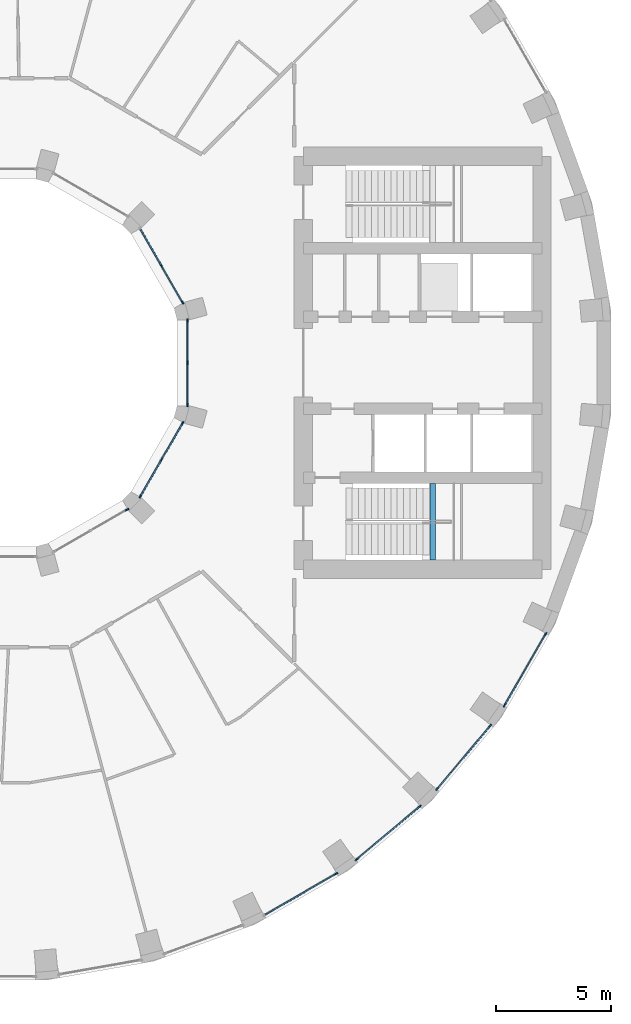
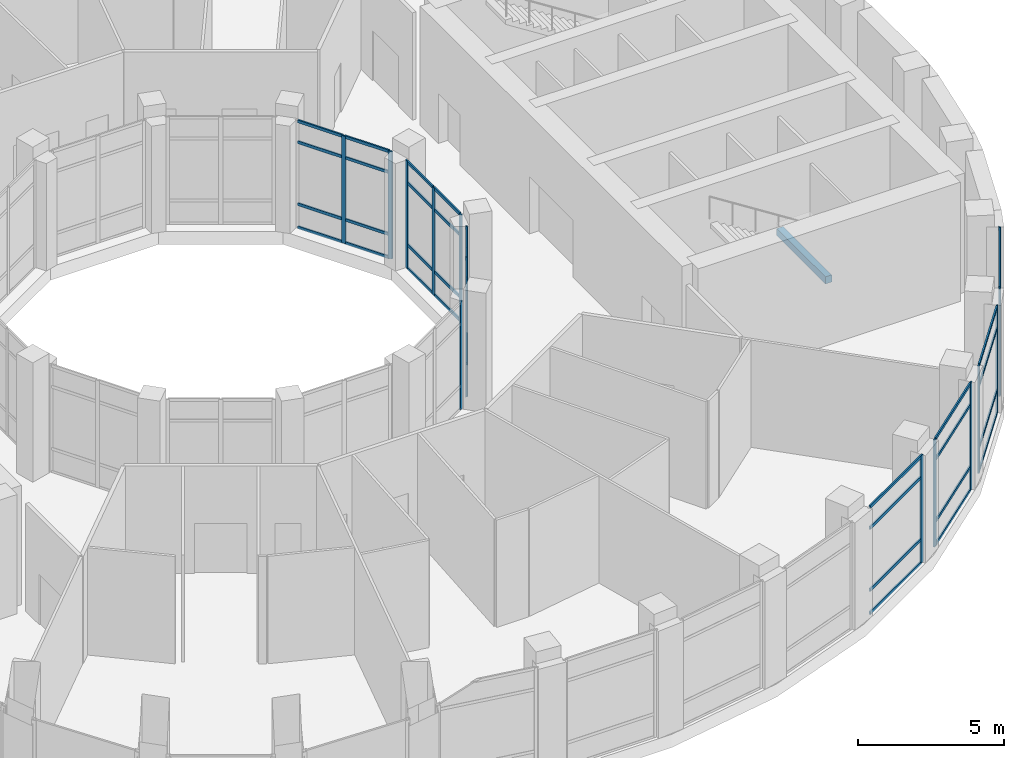
# One storey, part 5 of 18: 56 members, 1 beam, 8 elements without a shape of their own.
"""IFC4 building model written with IfcOpenShell, lengths in metres."""

from ifc_helpers import new_model, si_unit, direction, frame, origin, origin_2d, place, context, subcontext, project, spatial, rectangle, extrude, material, layer, layer_set, material_profile, profile_set, type_object, element, aggregate, save


model = new_model("IFC4")

# Units and contexts
model_context = context("Model", 3, precision=1e-05, world=origin(), true_north=direction((0.0, 1.0)))
body_context = subcontext(model_context, "Body", "Model", "MODEL_VIEW")
ifc_project = project(units=[si_unit("LENGTHUNIT", "METRE"), si_unit("AREAUNIT", "SQUARE_METRE"), si_unit("VOLUMEUNIT", "CUBIC_METRE"), si_unit("PLANEANGLEUNIT", "RADIAN"), si_unit("MASSUNIT", "GRAM", prefix="KILO")], contexts=[model_context])

# Site, building, storey
site_placement = place(None, origin())
site = spatial("IfcSite", under=ifc_project, at=site_placement, CompositionType="ELEMENT")
building_placement = place(site_placement, origin())
building = spatial("IfcBuilding", under=site, at=building_placement, Name="Saqina Gate Tower", CompositionType="ELEMENT")
storey_placement = place(building_placement, frame((0.0, 0.0, 86.89990234375)))
storey = spatial("IfcBuildingStorey", under=building, at=storey_placement, Name="L24", CompositionType="ELEMENT", Elevation=86.89990234375)

# Curtain wall, member
ifc_material_1 = material(Name="Aluminium glazing", Category="aluminium")
ifc_layer_1 = layer(ifc_material_1, 0.159912109375)
ifc_layer_set_1 = layer_set([ifc_layer_1], Name="CWT-2")
curtain_wall_type_1 = type_object("IfcCurtainWallType", Name="CWT-2", PredefinedType="NOTDEFINED", material=ifc_layer_set_1)
curtain_wall_1_placement = place(storey_placement, origin())
curtain_wall_1 = element("IfcCurtainWall", 1, at=curtain_wall_1_placement, inside=storey, type_object=curtain_wall_type_1, Name="Sky lounge glazing facet 30", PredefinedType="NOTDEFINED")
ifc_material_2 = material(Name="Aluminium", Category="aluminium")
ifc_material_profile_1 = material_profile(ifc_material_2, rectangle(XDim=0.06005859375, YDim=0.159912109375, at=origin_2d()), Name="Aluminium 60x160")
ifc_profile_set_1 = profile_set([ifc_material_profile_1], Name="Aluminium")
member_type_1 = type_object("IfcMemberType", Name="CWT-2M", PredefinedType="MULLION", material=ifc_profile_set_1)
member_1_placement = place(storey_placement, frame((14.92724609375, -22.266845703125, 0.0), z_axis=(0.0, 0.0, 1.0), x_axis=(-0.499998512381, 0.86602626266, 0.0)))
member_1 = element("IfcMember", 2, at=member_1_placement, type_object=member_type_1, Name="CW2-30 mullion 2", PredefinedType="MULLION", context=body_context, shape_type="SweptSolid", body=[
    extrude(rectangle(XDim=0.06005859375, YDim=0.159912109375, at=origin_2d()), origin(), (0.0, 0.0, 1.0), 4.5),
])

# Curtain wall, members
curtain_wall_2_placement = place(storey_placement, origin())
curtain_wall_2 = element("IfcCurtainWall", 3, at=curtain_wall_2_placement, inside=storey, type_object=curtain_wall_type_1, Name="Sky lounge glazing facet 31", PredefinedType="NOTDEFINED")
member_2_placement = place(storey_placement, frame((15.818603515625, -21.642822265625, 0.0), z_axis=(0.0, 0.0, 1.0), x_axis=(-0.642790825553, 0.766041744675, 0.0)))
member_2 = element("IfcMember", 4, at=member_2_placement, type_object=member_type_1, Name="CW2-31 mullion 1", PredefinedType="MULLION", context=body_context, shape_type="SweptSolid", body=[
    extrude(rectangle(XDim=0.06005859375, YDim=0.159912109375, at=origin_2d()), origin(), (0.0, 0.0, 1.0), 4.5),
])
member_3_placement = place(storey_placement, frame((18.567138671875, -19.33642578125, 0.0), z_axis=(0.0, 0.0, 1.0), x_axis=(-0.642790825553, 0.766041744675, 0.0)))
member_3 = element("IfcMember", 5, at=member_3_placement, type_object=member_type_1, Name="CW2-31 mullion 2", PredefinedType="MULLION", context=body_context, shape_type="SweptSolid", body=[
    extrude(rectangle(XDim=0.06005859375, YDim=0.159912109375, at=origin_2d()), origin(), (0.0, 0.0, 1.0), 4.5),
])

curtain_wall_3_placement = place(storey_placement, origin())
curtain_wall_3 = element("IfcCurtainWall", 6, at=curtain_wall_3_placement, inside=storey, type_object=curtain_wall_type_1, Name="Sky lounge glazing facet 32", PredefinedType="NOTDEFINED")
member_4_placement = place(storey_placement, frame((19.33642578125, -18.567138671875, 0.0), z_axis=(0.0, 0.0, 1.0), x_axis=(-0.766041744675, 0.642790825553, 0.0)))
member_4 = element("IfcMember", 7, at=member_4_placement, type_object=member_type_1, Name="CW2-32 mullion 1", PredefinedType="MULLION", context=body_context, shape_type="SweptSolid", body=[
    extrude(rectangle(XDim=0.06005859375, YDim=0.159912109375, at=origin_2d()), origin(), (0.0, 0.0, 1.0), 4.5),
])
member_5_placement = place(storey_placement, frame((21.642822265625, -15.818603515625, 0.0), z_axis=(0.0, 0.0, 1.0), x_axis=(-0.766041744675, 0.642790825553, 0.0)))
member_5 = element("IfcMember", 8, at=member_5_placement, type_object=member_type_1, Name="CW2-32 mullion 2", PredefinedType="MULLION", context=body_context, shape_type="SweptSolid", body=[
    extrude(rectangle(XDim=0.06005859375, YDim=0.159912109375, at=origin_2d()), origin(), (0.0, 0.0, 1.0), 4.5),
])

curtain_wall_4_placement = place(storey_placement, origin())
curtain_wall_4 = element("IfcCurtainWall", 9, at=curtain_wall_4_placement, inside=storey, type_object=curtain_wall_type_1, Name="Sky lounge glazing facet 33", PredefinedType="NOTDEFINED")
member_6_placement = place(storey_placement, frame((22.266845703125, -14.92724609375, 0.0), z_axis=(0.0, 0.0, 1.0), x_axis=(-0.86602626266, 0.499998512381, 0.0)))
member_6 = element("IfcMember", 10, at=member_6_placement, type_object=member_type_1, Name="CW2-33 mullion 1", PredefinedType="MULLION", context=body_context, shape_type="SweptSolid", body=[
    extrude(rectangle(XDim=0.06005859375, YDim=0.159912109375, at=origin_2d()), origin(), (0.0, 0.0, 1.0), 4.5),
])
member_7_placement = place(storey_placement, frame((24.060791015625, -11.820068359375, 0.0), z_axis=(0.0, 0.0, 1.0), x_axis=(-0.86602626266, 0.499998512381, 0.0)))
member_7 = element("IfcMember", 11, at=member_7_placement, type_object=member_type_1, Name="CW2-33 mullion 2", PredefinedType="MULLION", context=body_context, shape_type="SweptSolid", body=[
    extrude(rectangle(XDim=0.06005859375, YDim=0.159912109375, at=origin_2d()), origin(), (0.0, 0.0, 1.0), 4.5),
])

# Member
ifc_material_3 = material(Name="Aluminium", Category="aluminium")
ifc_material_profile_2 = material_profile(ifc_material_3, rectangle(XDim=0.06005859375, YDim=0.1201171875, at=origin_2d()), Name="Aluminium 60x120")
ifc_profile_set_2 = profile_set([ifc_material_profile_2], Name="Aluminium")
member_type_2 = type_object("IfcMemberType", Name="CWT-2T", PredefinedType="USERDEFINED", material=ifc_profile_set_2)
member_8_placement = place(storey_placement, frame((11.845947265625, -24.0458984375, 0.030029296875), z_axis=(0.866024243143, 0.500002010285, 0.0), x_axis=(-0.500002010285, 0.866024243143, 0.0)))
member_8 = element("IfcMember", 12, at=member_8_placement, type_object=member_type_2, Name="CW2-30 transom 1.1", ObjectType="TRANSOM", PredefinedType="USERDEFINED", context=body_context, shape_type="SweptSolid", body=[
    extrude(rectangle(XDim=0.06005859375, YDim=0.1201171875, at=origin_2d()), origin(), (0.0, 0.0, 1.0), 3.52783203125),
])

member_9_placement = place(storey_placement, frame((11.845947265625, -24.0458984375, 1.0), z_axis=(0.866024243143, 0.500002010285, 0.0), x_axis=(-0.500002010285, 0.866024243143, 0.0)))
member_9 = element("IfcMember", 13, at=member_9_placement, type_object=member_type_2, Name="CW2-30 transom 1.2", ObjectType="TRANSOM", PredefinedType="USERDEFINED", context=body_context, shape_type="SweptSolid", body=[
    extrude(rectangle(XDim=0.06005859375, YDim=0.1201171875, at=origin_2d()), origin(), (0.0, 0.0, 1.0), 3.52783203125),
])

member_10_placement = place(storey_placement, frame((11.845947265625, -24.0458984375, 3.60009765625), z_axis=(0.866024243143, 0.500002010285, 0.0), x_axis=(-0.500002010285, 0.866024243143, 0.0)))
member_10 = element("IfcMember", 14, at=member_10_placement, type_object=member_type_2, Name="CW2-30 transom 1.3", ObjectType="TRANSOM", PredefinedType="USERDEFINED", context=body_context, shape_type="SweptSolid", body=[
    extrude(rectangle(XDim=0.06005859375, YDim=0.1201171875, at=origin_2d()), origin(), (0.0, 0.0, 1.0), 3.52783203125),
])

member_11_placement = place(storey_placement, frame((11.845947265625, -24.0458984375, 4.47021484375), z_axis=(0.866024243143, 0.500002010285, 0.0), x_axis=(-0.500002010285, 0.866024243143, 0.0)))
member_11 = element("IfcMember", 15, at=member_11_placement, type_object=member_type_2, Name="CW2-30 transom 1.4", ObjectType="TRANSOM", PredefinedType="USERDEFINED", context=body_context, shape_type="SweptSolid", body=[
    extrude(rectangle(XDim=0.06005859375, YDim=0.1201171875, at=origin_2d()), origin(), (0.0, 0.0, 1.0), 3.52783203125),
])

aggregate(curtain_wall_1, [member_1, member_8, member_9, member_10, member_11])

member_12_placement = place(storey_placement, frame((15.841552734375, -21.62353515625, 0.030029296875), z_axis=(0.766010155434, 0.642828469945, 0.0), x_axis=(-0.642828469945, 0.766010155434, 0.0)))
member_12 = element("IfcMember", 16, at=member_12_placement, type_object=member_type_2, Name="CW2-31 transom 1.1", ObjectType="TRANSOM", PredefinedType="USERDEFINED", context=body_context, shape_type="SweptSolid", body=[
    extrude(rectangle(XDim=0.06005859375, YDim=0.1201171875, at=origin_2d()), origin(), (0.0, 0.0, 1.0), 3.52783203125),
])

member_13_placement = place(storey_placement, frame((15.841552734375, -21.62353515625, 1.0), z_axis=(0.766010155434, 0.642828469945, 0.0), x_axis=(-0.642828469945, 0.766010155434, 0.0)))
member_13 = element("IfcMember", 17, at=member_13_placement, type_object=member_type_2, Name="CW2-31 transom 1.2", ObjectType="TRANSOM", PredefinedType="USERDEFINED", context=body_context, shape_type="SweptSolid", body=[
    extrude(rectangle(XDim=0.06005859375, YDim=0.1201171875, at=origin_2d()), origin(), (0.0, 0.0, 1.0), 3.52783203125),
])

member_14_placement = place(storey_placement, frame((15.841552734375, -21.62353515625, 3.60009765625), z_axis=(0.766010155434, 0.642828469945, 0.0), x_axis=(-0.642828469945, 0.766010155434, 0.0)))
member_14 = element("IfcMember", 18, at=member_14_placement, type_object=member_type_2, Name="CW2-31 transom 1.3", ObjectType="TRANSOM", PredefinedType="USERDEFINED", context=body_context, shape_type="SweptSolid", body=[
    extrude(rectangle(XDim=0.06005859375, YDim=0.1201171875, at=origin_2d()), origin(), (0.0, 0.0, 1.0), 3.52783203125),
])

member_15_placement = place(storey_placement, frame((15.841552734375, -21.62353515625, 4.47021484375), z_axis=(0.766010155434, 0.642828469945, 0.0), x_axis=(-0.642828469945, 0.766010155434, 0.0)))
member_15 = element("IfcMember", 19, at=member_15_placement, type_object=member_type_2, Name="CW2-31 transom 1.4", ObjectType="TRANSOM", PredefinedType="USERDEFINED", context=body_context, shape_type="SweptSolid", body=[
    extrude(rectangle(XDim=0.06005859375, YDim=0.1201171875, at=origin_2d()), origin(), (0.0, 0.0, 1.0), 3.52783203125),
])

aggregate(curtain_wall_2, [member_2, member_3, member_12, member_13, member_14, member_15])

member_16_placement = place(storey_placement, frame((19.355712890625, -18.5439453125, 0.030029296875), z_axis=(0.642828469945, 0.766010155434, 0.0), x_axis=(-0.766010155434, 0.642828469945, 0.0)))
member_16 = element("IfcMember", 20, at=member_16_placement, type_object=member_type_2, Name="CW2-32 transom 1.1", ObjectType="TRANSOM", PredefinedType="USERDEFINED", context=body_context, shape_type="SweptSolid", body=[
    extrude(rectangle(XDim=0.06005859375, YDim=0.1201171875, at=origin_2d()), origin(), (0.0, 0.0, 1.0), 3.52783203125),
])

member_17_placement = place(storey_placement, frame((19.355712890625, -18.5439453125, 1.0), z_axis=(0.642828469945, 0.766010155434, 0.0), x_axis=(-0.766010155434, 0.642828469945, 0.0)))
member_17 = element("IfcMember", 21, at=member_17_placement, type_object=member_type_2, Name="CW2-32 transom 1.2", ObjectType="TRANSOM", PredefinedType="USERDEFINED", context=body_context, shape_type="SweptSolid", body=[
    extrude(rectangle(XDim=0.06005859375, YDim=0.1201171875, at=origin_2d()), origin(), (0.0, 0.0, 1.0), 3.52783203125),
])

member_18_placement = place(storey_placement, frame((19.355712890625, -18.5439453125, 3.60009765625), z_axis=(0.642828469945, 0.766010155434, 0.0), x_axis=(-0.766010155434, 0.642828469945, 0.0)))
member_18 = element("IfcMember", 22, at=member_18_placement, type_object=member_type_2, Name="CW2-32 transom 1.3", ObjectType="TRANSOM", PredefinedType="USERDEFINED", context=body_context, shape_type="SweptSolid", body=[
    extrude(rectangle(XDim=0.06005859375, YDim=0.1201171875, at=origin_2d()), origin(), (0.0, 0.0, 1.0), 3.52783203125),
])

member_19_placement = place(storey_placement, frame((19.355712890625, -18.5439453125, 4.47021484375), z_axis=(0.642828469945, 0.766010155434, 0.0), x_axis=(-0.766010155434, 0.642828469945, 0.0)))
member_19 = element("IfcMember", 23, at=member_19_placement, type_object=member_type_2, Name="CW2-32 transom 1.4", ObjectType="TRANSOM", PredefinedType="USERDEFINED", context=body_context, shape_type="SweptSolid", body=[
    extrude(rectangle(XDim=0.06005859375, YDim=0.1201171875, at=origin_2d()), origin(), (0.0, 0.0, 1.0), 3.52783203125),
])

aggregate(curtain_wall_3, [member_4, member_5, member_16, member_17, member_18, member_19])

member_20_placement = place(storey_placement, frame((22.281982421875, -14.901123046875, 0.030029296875), z_axis=(0.500002010285, 0.866024243143, 0.0), x_axis=(-0.866024243143, 0.500002010285, 0.0)))
member_20 = element("IfcMember", 24, at=member_20_placement, type_object=member_type_2, Name="CW2-33 transom 1.1", ObjectType="TRANSOM", PredefinedType="USERDEFINED", context=body_context, shape_type="SweptSolid", body=[
    extrude(rectangle(XDim=0.06005859375, YDim=0.1201171875, at=origin_2d()), origin(), (0.0, 0.0, 1.0), 3.52783203125),
])

member_21_placement = place(storey_placement, frame((22.281982421875, -14.901123046875, 1.0), z_axis=(0.500002010285, 0.866024243143, 0.0), x_axis=(-0.866024243143, 0.500002010285, 0.0)))
member_21 = element("IfcMember", 25, at=member_21_placement, type_object=member_type_2, Name="CW2-33 transom 1.2", ObjectType="TRANSOM", PredefinedType="USERDEFINED", context=body_context, shape_type="SweptSolid", body=[
    extrude(rectangle(XDim=0.06005859375, YDim=0.1201171875, at=origin_2d()), origin(), (0.0, 0.0, 1.0), 3.52783203125),
])

member_22_placement = place(storey_placement, frame((22.281982421875, -14.901123046875, 3.60009765625), z_axis=(0.500002010285, 0.866024243143, 0.0), x_axis=(-0.866024243143, 0.500002010285, 0.0)))
member_22 = element("IfcMember", 26, at=member_22_placement, type_object=member_type_2, Name="CW2-33 transom 1.3", ObjectType="TRANSOM", PredefinedType="USERDEFINED", context=body_context, shape_type="SweptSolid", body=[
    extrude(rectangle(XDim=0.06005859375, YDim=0.1201171875, at=origin_2d()), origin(), (0.0, 0.0, 1.0), 3.52783203125),
])

member_23_placement = place(storey_placement, frame((22.281982421875, -14.901123046875, 4.47021484375), z_axis=(0.500002010285, 0.866024243143, 0.0), x_axis=(-0.866024243143, 0.500002010285, 0.0)))
member_23 = element("IfcMember", 27, at=member_23_placement, type_object=member_type_2, Name="CW2-33 transom 1.4", ObjectType="TRANSOM", PredefinedType="USERDEFINED", context=body_context, shape_type="SweptSolid", body=[
    extrude(rectangle(XDim=0.06005859375, YDim=0.1201171875, at=origin_2d()), origin(), (0.0, 0.0, 1.0), 3.52783203125),
])

aggregate(curtain_wall_4, [member_6, member_7, member_20, member_21, member_22, member_23])

# Curtain wall, members
ifc_material_4 = material(Name="Aluminium glazing", Category="aluminium")
ifc_layer_2 = layer(ifc_material_4, 0.159912109375)
ifc_layer_set_2 = layer_set([ifc_layer_2], Name="CWT-3")
curtain_wall_type_2 = type_object("IfcCurtainWallType", Name="CWT-3", PredefinedType="NOTDEFINED", material=ifc_layer_set_2)
curtain_wall_5_placement = place(storey_placement, origin())
curtain_wall_5 = element("IfcCurtainWall", 28, at=curtain_wall_5_placement, inside=storey, type_object=curtain_wall_type_2, Name="Sky lounge well glazing L24 facet 1", PredefinedType="NOTDEFINED")
ifc_material_5 = material(Name="Aluminium", Category="aluminium")
ifc_material_profile_3 = material_profile(ifc_material_5, rectangle(XDim=0.06005859375, YDim=0.159912109375, at=origin_2d()), Name="Aluminium 60x160")
ifc_profile_set_3 = profile_set([ifc_material_profile_3], Name="Aluminium")
member_type_3 = type_object("IfcMemberType", Name="CWT-3M", PredefinedType="MULLION", material=ifc_profile_set_3)
member_24_placement = place(storey_placement, frame((8.23974609375, 2.628173828125, 0.0), z_axis=(0.0, 0.0, 1.0), x_axis=(-0.866029166445, -0.499993482823, 0.0)))
member_24 = element("IfcMember", 29, at=member_24_placement, type_object=member_type_3, Name="CW3-01 mullion 1", PredefinedType="MULLION", context=body_context, shape_type="SweptSolid", body=[
    extrude(rectangle(XDim=0.06005859375, YDim=0.159912109375, at=origin_2d()), origin(), (0.0, 0.0, 1.0), 4.5),
])
member_25_placement = place(storey_placement, frame((7.31787109375, 4.22509765625, 0.0), z_axis=(0.0, 0.0, 1.0), x_axis=(-0.866029166445, -0.499993482823, 0.0)))
member_25 = element("IfcMember", 30, at=member_25_placement, type_object=member_type_3, Name="CW3-01 mullion 2", PredefinedType="MULLION", context=body_context, shape_type="SweptSolid", body=[
    extrude(rectangle(XDim=0.06005859375, YDim=0.159912109375, at=origin_2d()), origin(), (0.0, 0.0, 1.0), 4.5),
])

# Curtain wall, member
curtain_wall_6_placement = place(storey_placement, origin())
curtain_wall_6 = element("IfcCurtainWall", 31, at=curtain_wall_6_placement, inside=storey, type_object=curtain_wall_type_2, Name="Sky lounge well glazing L24 facet 10", PredefinedType="NOTDEFINED")
member_26_placement = place(storey_placement, frame((5.82177734375, -6.39599609375, 0.0), z_axis=(0.0, 0.0, 1.0), x_axis=(-0.499993482823, 0.866029166445, 0.0)))
member_26 = element("IfcMember", 32, at=member_26_placement, type_object=member_type_3, Name="CW3-10 mullion 3", PredefinedType="MULLION", context=body_context, shape_type="SweptSolid", body=[
    extrude(rectangle(XDim=0.06005859375, YDim=0.159912109375, at=origin_2d()), origin(), (0.0, 0.0, 1.0), 4.5),
])
aggregate(curtain_wall_6, [member_26])

# Curtain wall, members
curtain_wall_7_placement = place(storey_placement, origin())
curtain_wall_7 = element("IfcCurtainWall", 33, at=curtain_wall_7_placement, inside=storey, type_object=curtain_wall_type_2, Name="Sky lounge well glazing L24 facet 11", PredefinedType="NOTDEFINED")
member_27_placement = place(storey_placement, frame((6.39599609375, -5.82177734375, 0.0), z_axis=(0.0, 0.0, 1.0), x_axis=(-0.866029166445, 0.499993482823, 0.0)))
member_27 = element("IfcMember", 34, at=member_27_placement, type_object=member_type_3, Name="CW3-11 mullion 1", PredefinedType="MULLION", context=body_context, shape_type="SweptSolid", body=[
    extrude(rectangle(XDim=0.06005859375, YDim=0.159912109375, at=origin_2d()), origin(), (0.0, 0.0, 1.0), 4.5),
])
member_28_placement = place(storey_placement, frame((7.31787109375, -4.22509765625, 0.0), z_axis=(0.0, 0.0, 1.0), x_axis=(-0.866029166445, 0.499993482823, 0.0)))
member_28 = element("IfcMember", 35, at=member_28_placement, type_object=member_type_3, Name="CW3-11 mullion 2", PredefinedType="MULLION", context=body_context, shape_type="SweptSolid", body=[
    extrude(rectangle(XDim=0.06005859375, YDim=0.159912109375, at=origin_2d()), origin(), (0.0, 0.0, 1.0), 4.5),
])
member_29_placement = place(storey_placement, frame((8.23974609375, -2.628173828125, 0.0), z_axis=(0.0, 0.0, 1.0), x_axis=(-0.866029166445, 0.499993482823, 0.0)))
member_29 = element("IfcMember", 36, at=member_29_placement, type_object=member_type_3, Name="CW3-11 mullion 3", PredefinedType="MULLION", context=body_context, shape_type="SweptSolid", body=[
    extrude(rectangle(XDim=0.06005859375, YDim=0.159912109375, at=origin_2d()), origin(), (0.0, 0.0, 1.0), 4.5),
])

curtain_wall_8_placement = place(storey_placement, origin())
curtain_wall_8 = element("IfcCurtainWall", 37, at=curtain_wall_8_placement, inside=storey, type_object=curtain_wall_type_2, Name="Sky lounge well glazing L24 facet 12", PredefinedType="NOTDEFINED")
member_30_placement = place(storey_placement, frame((8.449951171875, -1.84375, 0.0), z_axis=(0.0, 0.0, 1.0), x_axis=(-1.0, 0.0, 0.0)))
member_30 = element("IfcMember", 38, at=member_30_placement, type_object=member_type_3, Name="CW3-12 mullion 1", PredefinedType="MULLION", context=body_context, shape_type="SweptSolid", body=[
    extrude(rectangle(XDim=0.06005859375, YDim=0.159912109375, at=origin_2d()), origin(), (0.0, 0.0, 1.0), 4.5),
])
member_31_placement = place(storey_placement, frame((8.449951171875, 0.0, 0.0), z_axis=(0.0, 0.0, 1.0), x_axis=(-1.0, 0.0, 0.0)))
member_31 = element("IfcMember", 39, at=member_31_placement, type_object=member_type_3, Name="CW3-12 mullion 2", PredefinedType="MULLION", context=body_context, shape_type="SweptSolid", body=[
    extrude(rectangle(XDim=0.06005859375, YDim=0.159912109375, at=origin_2d()), origin(), (0.0, 0.0, 1.0), 4.5),
])
member_32_placement = place(storey_placement, frame((8.449951171875, 1.84375, 0.0), z_axis=(0.0, 0.0, 1.0), x_axis=(-1.0, 0.0, 0.0)))
member_32 = element("IfcMember", 40, at=member_32_placement, type_object=member_type_3, Name="CW3-12 mullion 3", PredefinedType="MULLION", context=body_context, shape_type="SweptSolid", body=[
    extrude(rectangle(XDim=0.06005859375, YDim=0.159912109375, at=origin_2d()), origin(), (0.0, 0.0, 1.0), 4.5),
])

# Member
ifc_material_6 = material(Name="Aluminium", Category="aluminium")
ifc_material_profile_4 = material_profile(ifc_material_6, rectangle(XDim=0.06005859375, YDim=0.1201171875, at=origin_2d()), Name="Aluminium 60x120")
ifc_profile_set_4 = profile_set([ifc_material_profile_4], Name="Aluminium")
member_type_4 = type_object("IfcMemberType", Name="CWT-3T", PredefinedType="USERDEFINED", material=ifc_profile_set_4)
member_33_placement = place(storey_placement, frame((8.224853515625, 2.654296875, 0.030029296875), z_axis=(-0.500010763282, 0.866019189511, 0.0), x_axis=(-0.866019189511, -0.500010763282, 0.0)))
member_33 = element("IfcMember", 41, at=member_33_placement, type_object=member_type_4, Name="CW3-01 transom 1.1", ObjectType="TRANSOM", PredefinedType="USERDEFINED", context=body_context, shape_type="SweptSolid", body=[
    extrude(rectangle(XDim=0.06005859375, YDim=0.1201171875, at=origin_2d()), origin(), (0.0, 0.0, 1.0), 1.78369140625),
])

member_34_placement = place(storey_placement, frame((8.224853515625, 2.654296875, 1.0), z_axis=(-0.500010763282, 0.866019189511, 0.0), x_axis=(-0.866019189511, -0.500010763282, 0.0)))
member_34 = element("IfcMember", 42, at=member_34_placement, type_object=member_type_4, Name="CW3-01 transom 1.2", ObjectType="TRANSOM", PredefinedType="USERDEFINED", context=body_context, shape_type="SweptSolid", body=[
    extrude(rectangle(XDim=0.06005859375, YDim=0.1201171875, at=origin_2d()), origin(), (0.0, 0.0, 1.0), 1.78369140625),
])

member_35_placement = place(storey_placement, frame((8.224853515625, 2.654296875, 3.60009765625), z_axis=(-0.500010763282, 0.866019189511, 0.0), x_axis=(-0.866019189511, -0.500010763282, 0.0)))
member_35 = element("IfcMember", 43, at=member_35_placement, type_object=member_type_4, Name="CW3-01 transom 1.3", ObjectType="TRANSOM", PredefinedType="USERDEFINED", context=body_context, shape_type="SweptSolid", body=[
    extrude(rectangle(XDim=0.06005859375, YDim=0.1201171875, at=origin_2d()), origin(), (0.0, 0.0, 1.0), 1.78369140625),
])

member_36_placement = place(storey_placement, frame((8.224853515625, 2.654296875, 4.47021484375), z_axis=(-0.500010763282, 0.866019189511, 0.0), x_axis=(-0.866019189511, -0.500010763282, 0.0)))
member_36 = element("IfcMember", 44, at=member_36_placement, type_object=member_type_4, Name="CW3-01 transom 1.4", ObjectType="TRANSOM", PredefinedType="USERDEFINED", context=body_context, shape_type="SweptSolid", body=[
    extrude(rectangle(XDim=0.06005859375, YDim=0.1201171875, at=origin_2d()), origin(), (0.0, 0.0, 1.0), 1.78369140625),
])

member_37_placement = place(storey_placement, frame((7.302978515625, 4.2509765625, 0.030029296875), z_axis=(-0.500010763282, 0.866019189511, 0.0), x_axis=(-0.866019189511, -0.500010763282, 0.0)))
member_37 = element("IfcMember", 45, at=member_37_placement, type_object=member_type_4, Name="CW3-01 transom 2.1", ObjectType="TRANSOM", PredefinedType="USERDEFINED", context=body_context, shape_type="SweptSolid", body=[
    extrude(rectangle(XDim=0.06005859375, YDim=0.1201171875, at=origin_2d()), origin(), (0.0, 0.0, 1.0), 1.78369140625),
])

member_38_placement = place(storey_placement, frame((7.302978515625, 4.2509765625, 1.0), z_axis=(-0.500010763282, 0.866019189511, 0.0), x_axis=(-0.866019189511, -0.500010763282, 0.0)))
member_38 = element("IfcMember", 46, at=member_38_placement, type_object=member_type_4, Name="CW3-01 transom 2.2", ObjectType="TRANSOM", PredefinedType="USERDEFINED", context=body_context, shape_type="SweptSolid", body=[
    extrude(rectangle(XDim=0.06005859375, YDim=0.1201171875, at=origin_2d()), origin(), (0.0, 0.0, 1.0), 1.78369140625),
])

member_39_placement = place(storey_placement, frame((7.302978515625, 4.2509765625, 3.60009765625), z_axis=(-0.500010763282, 0.866019189511, 0.0), x_axis=(-0.866019189511, -0.500010763282, 0.0)))
member_39 = element("IfcMember", 47, at=member_39_placement, type_object=member_type_4, Name="CW3-01 transom 2.3", ObjectType="TRANSOM", PredefinedType="USERDEFINED", context=body_context, shape_type="SweptSolid", body=[
    extrude(rectangle(XDim=0.06005859375, YDim=0.1201171875, at=origin_2d()), origin(), (0.0, 0.0, 1.0), 1.78369140625),
])

member_40_placement = place(storey_placement, frame((7.302978515625, 4.2509765625, 4.47021484375), z_axis=(-0.500010763282, 0.866019189511, 0.0), x_axis=(-0.866019189511, -0.500010763282, 0.0)))
member_40 = element("IfcMember", 48, at=member_40_placement, type_object=member_type_4, Name="CW3-01 transom 2.4", ObjectType="TRANSOM", PredefinedType="USERDEFINED", context=body_context, shape_type="SweptSolid", body=[
    extrude(rectangle(XDim=0.06005859375, YDim=0.1201171875, at=origin_2d()), origin(), (0.0, 0.0, 1.0), 1.78369140625),
])

aggregate(curtain_wall_5, [member_24, member_25, member_33, member_34, member_35, member_36, member_37, member_38, member_39, member_40])

member_41_placement = place(storey_placement, frame((6.4111328125, -5.795654296875, 0.030029296875), z_axis=(0.500010763282, 0.866019189511, 0.0), x_axis=(-0.866019189511, 0.500010763282, 0.0)))
member_41 = element("IfcMember", 49, at=member_41_placement, type_object=member_type_4, Name="CW3-11 transom 1.1", ObjectType="TRANSOM", PredefinedType="USERDEFINED", context=body_context, shape_type="SweptSolid", body=[
    extrude(rectangle(XDim=0.06005859375, YDim=0.1201171875, at=origin_2d()), origin(), (0.0, 0.0, 1.0), 1.78369140625),
])

member_42_placement = place(storey_placement, frame((6.4111328125, -5.795654296875, 1.0), z_axis=(0.500010763282, 0.866019189511, 0.0), x_axis=(-0.866019189511, 0.500010763282, 0.0)))
member_42 = element("IfcMember", 50, at=member_42_placement, type_object=member_type_4, Name="CW3-11 transom 1.2", ObjectType="TRANSOM", PredefinedType="USERDEFINED", context=body_context, shape_type="SweptSolid", body=[
    extrude(rectangle(XDim=0.06005859375, YDim=0.1201171875, at=origin_2d()), origin(), (0.0, 0.0, 1.0), 1.78369140625),
])

member_43_placement = place(storey_placement, frame((6.4111328125, -5.795654296875, 3.60009765625), z_axis=(0.500010763282, 0.866019189511, 0.0), x_axis=(-0.866019189511, 0.500010763282, 0.0)))
member_43 = element("IfcMember", 51, at=member_43_placement, type_object=member_type_4, Name="CW3-11 transom 1.3", ObjectType="TRANSOM", PredefinedType="USERDEFINED", context=body_context, shape_type="SweptSolid", body=[
    extrude(rectangle(XDim=0.06005859375, YDim=0.1201171875, at=origin_2d()), origin(), (0.0, 0.0, 1.0), 1.78369140625),
])

member_44_placement = place(storey_placement, frame((6.4111328125, -5.795654296875, 4.47021484375), z_axis=(0.500010763282, 0.866019189511, 0.0), x_axis=(-0.866019189511, 0.500010763282, 0.0)))
member_44 = element("IfcMember", 52, at=member_44_placement, type_object=member_type_4, Name="CW3-11 transom 1.4", ObjectType="TRANSOM", PredefinedType="USERDEFINED", context=body_context, shape_type="SweptSolid", body=[
    extrude(rectangle(XDim=0.06005859375, YDim=0.1201171875, at=origin_2d()), origin(), (0.0, 0.0, 1.0), 1.78369140625),
])

member_45_placement = place(storey_placement, frame((7.3330078125, -4.198974609375, 0.030029296875), z_axis=(0.500010763282, 0.866019189511, 0.0), x_axis=(-0.866019189511, 0.500010763282, 0.0)))
member_45 = element("IfcMember", 53, at=member_45_placement, type_object=member_type_4, Name="CW3-11 transom 2.1", ObjectType="TRANSOM", PredefinedType="USERDEFINED", context=body_context, shape_type="SweptSolid", body=[
    extrude(rectangle(XDim=0.06005859375, YDim=0.1201171875, at=origin_2d()), origin(), (0.0, 0.0, 1.0), 1.78369140625),
])

member_46_placement = place(storey_placement, frame((7.3330078125, -4.198974609375, 1.0), z_axis=(0.500010763282, 0.866019189511, 0.0), x_axis=(-0.866019189511, 0.500010763282, 0.0)))
member_46 = element("IfcMember", 54, at=member_46_placement, type_object=member_type_4, Name="CW3-11 transom 2.2", ObjectType="TRANSOM", PredefinedType="USERDEFINED", context=body_context, shape_type="SweptSolid", body=[
    extrude(rectangle(XDim=0.06005859375, YDim=0.1201171875, at=origin_2d()), origin(), (0.0, 0.0, 1.0), 1.78369140625),
])

member_47_placement = place(storey_placement, frame((7.3330078125, -4.198974609375, 3.60009765625), z_axis=(0.500010763282, 0.866019189511, 0.0), x_axis=(-0.866019189511, 0.500010763282, 0.0)))
member_47 = element("IfcMember", 55, at=member_47_placement, type_object=member_type_4, Name="CW3-11 transom 2.3", ObjectType="TRANSOM", PredefinedType="USERDEFINED", context=body_context, shape_type="SweptSolid", body=[
    extrude(rectangle(XDim=0.06005859375, YDim=0.1201171875, at=origin_2d()), origin(), (0.0, 0.0, 1.0), 1.78369140625),
])

member_48_placement = place(storey_placement, frame((7.3330078125, -4.198974609375, 4.47021484375), z_axis=(0.500010763282, 0.866019189511, 0.0), x_axis=(-0.866019189511, 0.500010763282, 0.0)))
member_48 = element("IfcMember", 56, at=member_48_placement, type_object=member_type_4, Name="CW3-11 transom 2.4", ObjectType="TRANSOM", PredefinedType="USERDEFINED", context=body_context, shape_type="SweptSolid", body=[
    extrude(rectangle(XDim=0.06005859375, YDim=0.1201171875, at=origin_2d()), origin(), (0.0, 0.0, 1.0), 1.78369140625),
])

aggregate(curtain_wall_7, [member_27, member_28, member_29, member_41, member_42, member_43, member_44, member_45, member_46, member_47, member_48])

member_49_placement = place(storey_placement, frame((8.449951171875, -1.813720703125, 0.030029296875), z_axis=(0.0, 1.0, 0.0), x_axis=(-1.0, 0.0, 0.0)))
member_49 = element("IfcMember", 57, at=member_49_placement, type_object=member_type_4, Name="CW3-12 transom 1.1", ObjectType="TRANSOM", PredefinedType="USERDEFINED", context=body_context, shape_type="SweptSolid", body=[
    extrude(rectangle(XDim=0.06005859375, YDim=0.1201171875, at=origin_2d()), origin(), (0.0, 0.0, 1.0), 1.78369140625),
])

member_50_placement = place(storey_placement, frame((8.449951171875, -1.813720703125, 1.0), z_axis=(0.0, 1.0, 0.0), x_axis=(-1.0, 0.0, 0.0)))
member_50 = element("IfcMember", 58, at=member_50_placement, type_object=member_type_4, Name="CW3-12 transom 1.2", ObjectType="TRANSOM", PredefinedType="USERDEFINED", context=body_context, shape_type="SweptSolid", body=[
    extrude(rectangle(XDim=0.06005859375, YDim=0.1201171875, at=origin_2d()), origin(), (0.0, 0.0, 1.0), 1.78369140625),
])

member_51_placement = place(storey_placement, frame((8.449951171875, -1.813720703125, 3.60009765625), z_axis=(0.0, 1.0, 0.0), x_axis=(-1.0, 0.0, 0.0)))
member_51 = element("IfcMember", 59, at=member_51_placement, type_object=member_type_4, Name="CW3-12 transom 1.3", ObjectType="TRANSOM", PredefinedType="USERDEFINED", context=body_context, shape_type="SweptSolid", body=[
    extrude(rectangle(XDim=0.06005859375, YDim=0.1201171875, at=origin_2d()), origin(), (0.0, 0.0, 1.0), 1.78369140625),
])

member_52_placement = place(storey_placement, frame((8.449951171875, -1.813720703125, 4.47021484375), z_axis=(0.0, 1.0, 0.0), x_axis=(-1.0, 0.0, 0.0)))
member_52 = element("IfcMember", 60, at=member_52_placement, type_object=member_type_4, Name="CW3-12 transom 1.4", ObjectType="TRANSOM", PredefinedType="USERDEFINED", context=body_context, shape_type="SweptSolid", body=[
    extrude(rectangle(XDim=0.06005859375, YDim=0.1201171875, at=origin_2d()), origin(), (0.0, 0.0, 1.0), 1.78369140625),
])

member_53_placement = place(storey_placement, frame((8.449951171875, 0.030029296875, 0.030029296875), z_axis=(0.0, 1.0, 0.0), x_axis=(-1.0, 0.0, 0.0)))
member_53 = element("IfcMember", 61, at=member_53_placement, type_object=member_type_4, Name="CW3-12 transom 2.1", ObjectType="TRANSOM", PredefinedType="USERDEFINED", context=body_context, shape_type="SweptSolid", body=[
    extrude(rectangle(XDim=0.06005859375, YDim=0.1201171875, at=origin_2d()), origin(), (0.0, 0.0, 1.0), 1.78369140625),
])

member_54_placement = place(storey_placement, frame((8.449951171875, 0.030029296875, 1.0), z_axis=(0.0, 1.0, 0.0), x_axis=(-1.0, 0.0, 0.0)))
member_54 = element("IfcMember", 62, at=member_54_placement, type_object=member_type_4, Name="CW3-12 transom 2.2", ObjectType="TRANSOM", PredefinedType="USERDEFINED", context=body_context, shape_type="SweptSolid", body=[
    extrude(rectangle(XDim=0.06005859375, YDim=0.1201171875, at=origin_2d()), origin(), (0.0, 0.0, 1.0), 1.78369140625),
])

member_55_placement = place(storey_placement, frame((8.449951171875, 0.030029296875, 3.60009765625), z_axis=(0.0, 1.0, 0.0), x_axis=(-1.0, 0.0, 0.0)))
member_55 = element("IfcMember", 63, at=member_55_placement, type_object=member_type_4, Name="CW3-12 transom 2.3", ObjectType="TRANSOM", PredefinedType="USERDEFINED", context=body_context, shape_type="SweptSolid", body=[
    extrude(rectangle(XDim=0.06005859375, YDim=0.1201171875, at=origin_2d()), origin(), (0.0, 0.0, 1.0), 1.78369140625),
])

member_56_placement = place(storey_placement, frame((8.449951171875, 0.030029296875, 4.47021484375), z_axis=(0.0, 1.0, 0.0), x_axis=(-1.0, 0.0, 0.0)))
member_56 = element("IfcMember", 64, at=member_56_placement, type_object=member_type_4, Name="CW3-12 transom 2.4", ObjectType="TRANSOM", PredefinedType="USERDEFINED", context=body_context, shape_type="SweptSolid", body=[
    extrude(rectangle(XDim=0.06005859375, YDim=0.1201171875, at=origin_2d()), origin(), (0.0, 0.0, 1.0), 1.78369140625),
])

aggregate(curtain_wall_8, [member_30, member_31, member_32, member_49, member_50, member_51, member_52, member_53, member_54, member_55, member_56])

# Beam
ifc_material_7 = material(Name="Concrete C40/50", Category="concrete")
ifc_material_profile_5 = material_profile(ifc_material_7, rectangle(XDim=0.25, YDim=0.300048828125, at=origin_2d()), Name="STAIR LANDING BEAM")
ifc_profile_set_5 = profile_set([ifc_material_profile_5], Name="Concrete C40/50")
beam_type = type_object("IfcBeamType", Name="STAIR LANDING BEAM", PredefinedType="BEAM", material=ifc_profile_set_5)
beam_placement = place(storey_placement, frame((19.139892578125, -8.60009765625, 2.10009765625), z_axis=(0.0, 1.0, 0.0), x_axis=(-1.0, 0.0, 0.0)))
element("IfcBeam", 65, at=beam_placement, inside=storey, type_object=beam_type, Name="EXIT STAIR 2 LANDING BEAM", PredefinedType="BEAM", context=body_context, shape_type="SweptSolid", body=[
    extrude(rectangle(XDim=0.25, YDim=0.300048828125, at=origin_2d()), origin(), (0.0, 0.0, 1.0), 3.35009765625),
])

save(model, "model.ifc")
